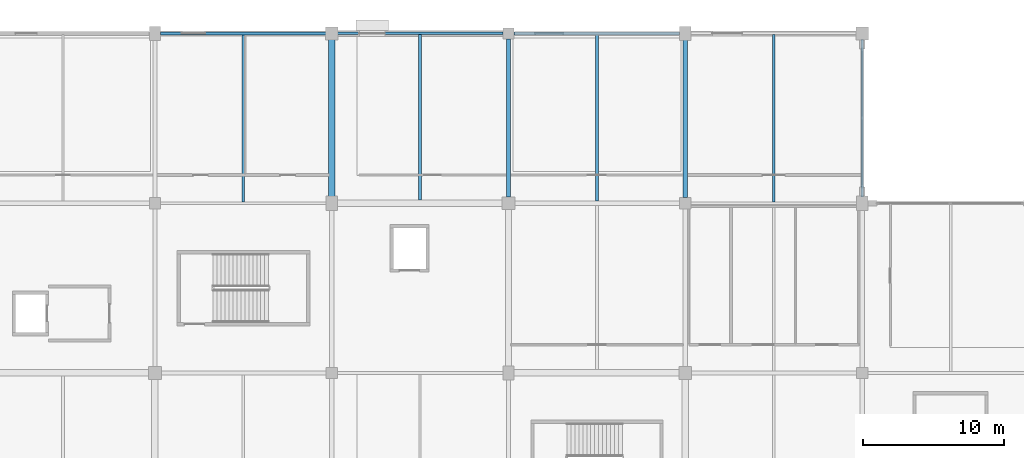
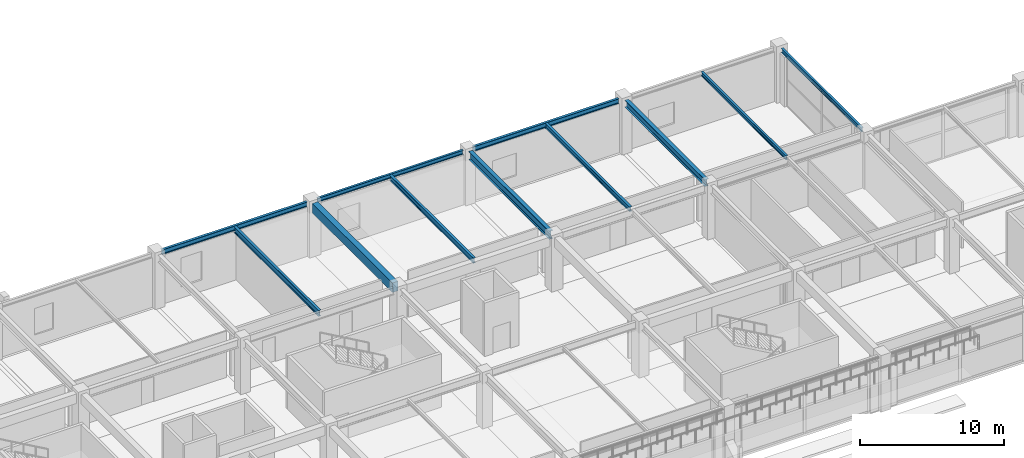
# One storey, part 62 of 134: 11 beams.
"""IFC4 building model written with IfcOpenShell, lengths in metres."""

from ifc_helpers import new_model, si_unit, direction, frame, origin, origin_2d, place, context, subcontext, project, spatial, rectangle, i_section, extrude, material, material_profile, profile_set, type_object, element, save


model = new_model("IFC4")

# Units and contexts
model_context = context("Model", 3, precision=1e-05, world=origin(), true_north=direction((0.0, 1.0)))
body_context = subcontext(model_context, "Body", "Model", "MODEL_VIEW")
ifc_project = project(units=[si_unit("LENGTHUNIT", "METRE"), si_unit("AREAUNIT", "SQUARE_METRE"), si_unit("VOLUMEUNIT", "CUBIC_METRE"), si_unit("PLANEANGLEUNIT", "RADIAN"), si_unit("MASSUNIT", "GRAM", prefix="KILO")], contexts=[model_context])

# Site, building, storey
site_placement = place(None, origin())
site = spatial("IfcSite", under=ifc_project, at=site_placement, CompositionType="ELEMENT")
building_placement = place(site_placement, origin())
building = spatial("IfcBuilding", under=site, at=building_placement, Name="Kazenohara Klinker Stadium", CompositionType="ELEMENT")
storey_placement = place(building_placement, frame((0.0, 0.0, 5.39990234375)))
storey = spatial("IfcBuildingStorey", under=building, at=storey_placement, Name="L01", CompositionType="ELEMENT", Elevation=5.39990234375)

# Beams
ifc_material_1 = material(Name="Steel S355", Category="steel")
ifc_material_profile_1 = material_profile(ifc_material_1, i_section(OverallWidth=0.199951171875, OverallDepth=0.5, WebThickness=0.010009765625, FlangeThickness=0.01611328125, FilletRadius=0.012939453125, at=origin_2d()), Name="H-500x200x10x16")
ifc_profile_set_1 = profile_set([ifc_material_profile_1], Name="Steel S355")
beam_type_1 = type_object("IfcBeamType", Name="BM-JST01", PredefinedType="JOIST", material=ifc_profile_set_1)
beam_1_placement = place(storey_placement, frame((131.25, 156.10009765625, 4.300048828125), z_axis=(0.0, 1.0, 0.0), x_axis=(-1.0, 0.0, 0.0)))
element("IfcBeam", 1, at=beam_1_placement, inside=storey, type_object=beam_type_1, Name="Secondary floor joist SJ01 L01 11/P", PredefinedType="JOIST", context=body_context, shape_type="SweptSolid", body=[
    extrude(i_section(OverallWidth=0.199951171875, OverallDepth=0.5, WebThickness=0.010009765625, FlangeThickness=0.01611328125, FilletRadius=0.012939453125, at=origin_2d()), origin(), (0.0, 0.0, 1.0), 11.7998046875),
])
ifc_material_profile_2 = material_profile(ifc_material_1, i_section(OverallWidth=0.199951171875, OverallDepth=0.449951171875, WebThickness=0.009033203125, FlangeThickness=0.013916015625, FilletRadius=0.012939453125, at=origin_2d()), Name="H-450x200x9x14")
ifc_profile_set_2 = profile_set([ifc_material_profile_2], Name="Steel S355")
beam_type_2 = type_object("IfcBeamType", Name="BM-JST02", PredefinedType="JOIST", material=ifc_profile_set_2)
beam_2_placement = place(storey_placement, frame((143.75, 156.22509765625, 4.3251953125), z_axis=(0.0, 1.0, 0.0), x_axis=(-1.0, 0.0, 0.0)))
element("IfcBeam", 2, at=beam_2_placement, inside=storey, type_object=beam_type_2, Name="Secondary floor joist SJ02 L01 12/P", PredefinedType="JOIST", context=body_context, shape_type="SweptSolid", body=[
    extrude(i_section(OverallWidth=0.199951171875, OverallDepth=0.449951171875, WebThickness=0.009033203125, FlangeThickness=0.013916015625, FilletRadius=0.012939453125, at=origin_2d()), origin(), (0.0, 0.0, 1.0), 11.6875),
])
ifc_material_profile_3 = material_profile(ifc_material_1, i_section(OverallWidth=0.199951171875, OverallDepth=0.39990234375, WebThickness=0.008056640625, FlangeThickness=0.012939453125, FilletRadius=0.012939453125, at=origin_2d()), Name="H-400x200x8x13")
ifc_profile_set_3 = profile_set([ifc_material_profile_3], Name="Steel S355")
beam_type_3 = type_object("IfcBeamType", Name="BM-JST03", PredefinedType="JOIST", material=ifc_profile_set_3)
beam_3_placement = place(storey_placement, frame((156.25, 156.14990234375, 4.35009765625), z_axis=(0.0, 1.0, 0.0), x_axis=(-1.0, 0.0, 0.0)))
element("IfcBeam", 3, at=beam_3_placement, inside=storey, type_object=beam_type_3, Name="Secondary floor joist SJ03 L01 13/P", PredefinedType="JOIST", context=body_context, shape_type="SweptSolid", body=[
    extrude(i_section(OverallWidth=0.199951171875, OverallDepth=0.39990234375, WebThickness=0.008056640625, FlangeThickness=0.012939453125, FilletRadius=0.012939453125, at=origin_2d()), origin(), (0.0, 0.0, 1.0), 11.75),
])
ifc_material_profile_4 = material_profile(ifc_material_1, i_section(OverallWidth=0.175048828125, OverallDepth=0.35009765625, WebThickness=0.007080078125, FlangeThickness=0.010986328125, FilletRadius=0.012939453125, at=origin_2d()), Name="H-350x175x7x11")
ifc_profile_set_4 = profile_set([ifc_material_profile_4], Name="Steel S355")
beam_type_4 = type_object("IfcBeamType", Name="BM-JST04", PredefinedType="JOIST", material=ifc_profile_set_4)
beam_4_placement = place(storey_placement, frame((168.75, 156.10009765625, 4.375), z_axis=(0.0, 1.0, 0.0), x_axis=(-1.0, 0.0, 0.0)))
element("IfcBeam", 4, at=beam_4_placement, inside=storey, type_object=beam_type_4, Name="Secondary floor joist SJ04 L01 14/P", PredefinedType="JOIST", context=body_context, shape_type="SweptSolid", body=[
    extrude(i_section(OverallWidth=0.175048828125, OverallDepth=0.35009765625, WebThickness=0.007080078125, FlangeThickness=0.010986328125, FilletRadius=0.012939453125, at=origin_2d()), origin(), (0.0, 0.0, 1.0), 11.8125),
])
ifc_material_2 = material(Name="Concrete C40/50", Category="concrete")
ifc_material_profile_5 = material_profile(ifc_material_2, rectangle(XDim=0.449951171875, YDim=0.800048828125, at=origin_2d()), Name="RC-BM-450x800")
ifc_profile_set_5 = profile_set([ifc_material_profile_5], Name="Concrete C40/50")
beam_type_5 = type_object("IfcBeamType", Name="BM-RC03", PredefinedType="BEAM", material=ifc_profile_set_5)
beam_5_placement = place(storey_placement, frame((137.5, 156.419921875, 4.150146484375), z_axis=(0.0, 1.0, 0.0), x_axis=(-1.0, 0.0, 0.0)))
element("IfcBeam", 5, at=beam_5_placement, inside=storey, type_object=beam_type_5, Name="Primary girder BG03 L01 12/P-Q", PredefinedType="BEAM", context=body_context, shape_type="SweptSolid", body=[
    extrude(rectangle(XDim=0.449951171875, YDim=0.800048828125, at=origin_2d()), origin(), (0.0, 0.0, 1.0), 11.16015625),
])
ifc_material_profile_6 = material_profile(ifc_material_1, i_section(OverallWidth=0.199951171875, OverallDepth=0.39990234375, WebThickness=0.008056640625, FlangeThickness=0.012939453125, FilletRadius=0.012939453125, at=origin_2d()), Name="H-400x200x8x13")
ifc_profile_set_6 = profile_set([ifc_material_profile_6], Name="Steel S355")
beam_type_6 = type_object("IfcBeamType", Name="BM-SPD01", PredefinedType="SPANDREL", material=ifc_profile_set_6)
beam_6_placement = place(storey_placement, frame((125.39990234375, 168.0, 4.35009765625), z_axis=(1.0, 0.0, 0.0), x_axis=(0.0, 1.0, 0.0)))
element("IfcBeam", 6, at=beam_6_placement, inside=storey, type_object=beam_type_6, Name="Primary girder SP01 L01 11-12/Q", PredefinedType="SPANDREL", context=body_context, shape_type="SweptSolid", body=[
    extrude(i_section(OverallWidth=0.199951171875, OverallDepth=0.39990234375, WebThickness=0.008056640625, FlangeThickness=0.012939453125, FilletRadius=0.012939453125, at=origin_2d()), origin(), (0.0, 0.0, 1.0), 11.68017578125),
])
beam_7_placement = place(storey_placement, frame((150.39990234375, 168.0, 4.35009765625), z_axis=(1.0, 0.0, 0.0), x_axis=(0.0, 1.0, 0.0)))
element("IfcBeam", 7, at=beam_7_placement, inside=storey, type_object=beam_type_6, Name="Primary girder SP01 L01 13-14/Q", PredefinedType="SPANDREL", context=body_context, shape_type="SweptSolid", body=[
    extrude(i_section(OverallWidth=0.199951171875, OverallDepth=0.39990234375, WebThickness=0.008056640625, FlangeThickness=0.012939453125, FilletRadius=0.012939453125, at=origin_2d()), origin(), (0.0, 0.0, 1.0), 11.7001953125),
])
ifc_material_profile_7 = material_profile(ifc_material_1, i_section(OverallWidth=0.175048828125, OverallDepth=0.35009765625, WebThickness=0.007080078125, FlangeThickness=0.010986328125, FilletRadius=0.012939453125, at=origin_2d()), Name="H-350x175x7x11")
ifc_profile_set_7 = profile_set([ifc_material_profile_7], Name="Steel S355")
beam_type_7 = type_object("IfcBeamType", Name="BM-SPD02", PredefinedType="SPANDREL", material=ifc_profile_set_7)
beam_8_placement = place(storey_placement, frame((137.919921875, 168.0, 4.375), z_axis=(1.0, 0.0, 0.0), x_axis=(0.0, 1.0, 0.0)))
element("IfcBeam", 8, at=beam_8_placement, inside=storey, type_object=beam_type_7, Name="Primary girder SP02 L01 12-13/Q", PredefinedType="SPANDREL", context=body_context, shape_type="SweptSolid", body=[
    extrude(i_section(OverallWidth=0.175048828125, OverallDepth=0.35009765625, WebThickness=0.007080078125, FlangeThickness=0.010986328125, FilletRadius=0.012939453125, at=origin_2d()), origin(), (0.0, 0.0, 1.0), 11.68017578125),
])
beam_9_placement = place(storey_placement, frame((175.0, 156.419921875, 4.375), z_axis=(0.0, 1.0, 0.0), x_axis=(-1.0, 0.0, 0.0)))
element("IfcBeam", 9, at=beam_9_placement, inside=storey, type_object=beam_type_7, Name="Primary girder SP02 L01 15/P-Q", PredefinedType="SPANDREL", context=body_context, shape_type="SweptSolid", body=[
    extrude(i_section(OverallWidth=0.175048828125, OverallDepth=0.35009765625, WebThickness=0.007080078125, FlangeThickness=0.010986328125, FilletRadius=0.012939453125, at=origin_2d()), origin(), (0.0, 0.0, 1.0), 11.16015625),
])
ifc_material_profile_8 = material_profile(ifc_material_1, i_section(OverallWidth=0.300048828125, OverallDepth=0.699951171875, WebThickness=0.012939453125, FlangeThickness=0.02392578125, FilletRadius=0.02197265625, at=origin_2d()), Name="H-700x300x13x24")
ifc_profile_set_8 = profile_set([ifc_material_profile_8], Name="Steel S355")
beam_type_8 = type_object("IfcBeamType", Name="BM-ST03", PredefinedType="BEAM", material=ifc_profile_set_8)
beam_10_placement = place(storey_placement, frame((150.0, 156.419921875, 4.2001953125), z_axis=(0.0, 1.0, 0.0), x_axis=(-1.0, 0.0, 0.0)))
element("IfcBeam", 10, at=beam_10_placement, inside=storey, type_object=beam_type_8, Name="Primary girder SB03 L01 13/P-Q", PredefinedType="BEAM", context=body_context, shape_type="SweptSolid", body=[
    extrude(i_section(OverallWidth=0.300048828125, OverallDepth=0.699951171875, WebThickness=0.012939453125, FlangeThickness=0.02392578125, FilletRadius=0.02197265625, at=origin_2d()), origin(), (0.0, 0.0, 1.0), 11.18017578125),
])
ifc_material_profile_9 = material_profile(ifc_material_1, i_section(OverallWidth=0.300048828125, OverallDepth=0.587890625, WebThickness=0.011962890625, FlangeThickness=0.02001953125, FilletRadius=0.02197265625, at=origin_2d()), Name="H-588x300x12x20")
ifc_profile_set_9 = profile_set([ifc_material_profile_9], Name="Steel S355")
beam_type_9 = type_object("IfcBeamType", Name="BM-ST05", PredefinedType="BEAM", material=ifc_profile_set_9)
beam_11_placement = place(storey_placement, frame((162.5, 156.39990234375, 4.256103515625), z_axis=(0.0, 1.0, 0.0), x_axis=(-1.0, 0.0, 0.0)))
element("IfcBeam", 11, at=beam_11_placement, inside=storey, type_object=beam_type_9, Name="Primary girder SB05 L01 14/P-Q", PredefinedType="BEAM", context=body_context, shape_type="SweptSolid", body=[
    extrude(i_section(OverallWidth=0.300048828125, OverallDepth=0.587890625, WebThickness=0.011962890625, FlangeThickness=0.02001953125, FilletRadius=0.02197265625, at=origin_2d()), origin(), (0.0, 0.0, 1.0), 11.18017578125),
])

save(model, "model.ifc")
